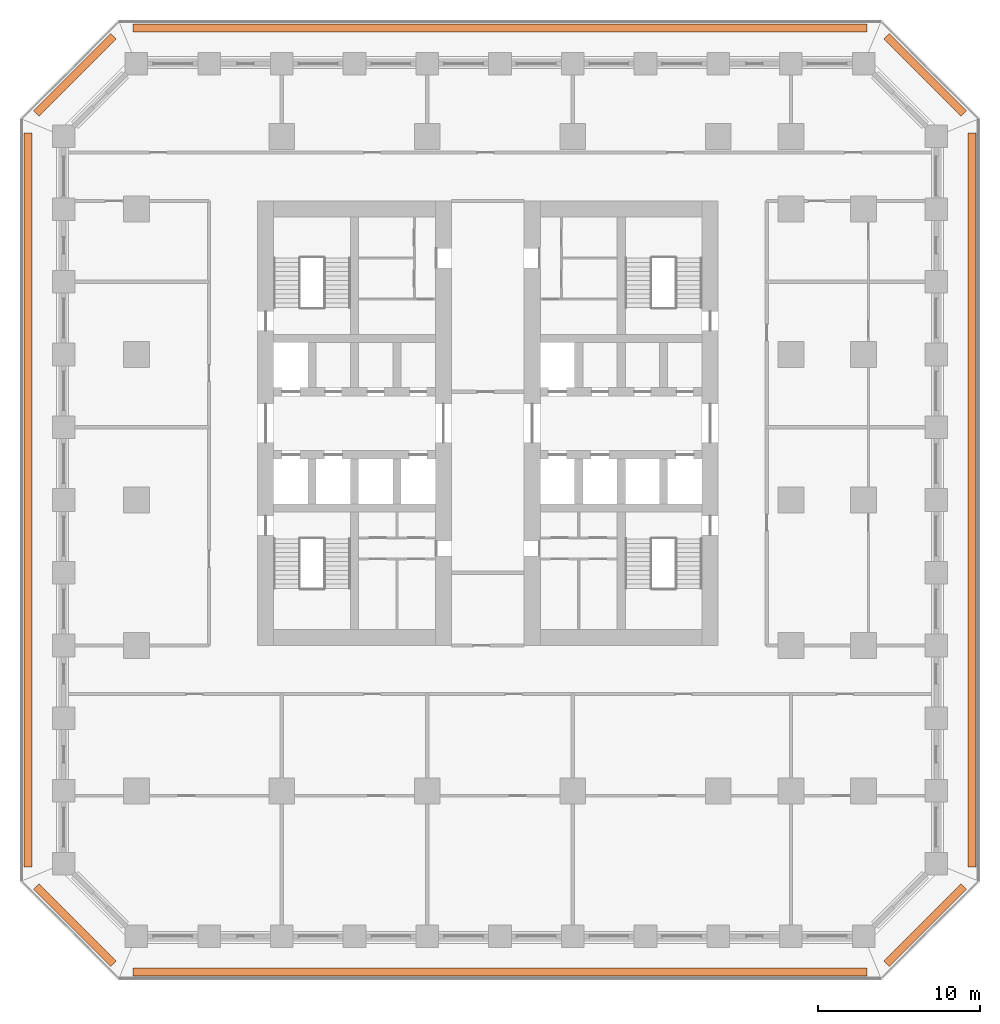
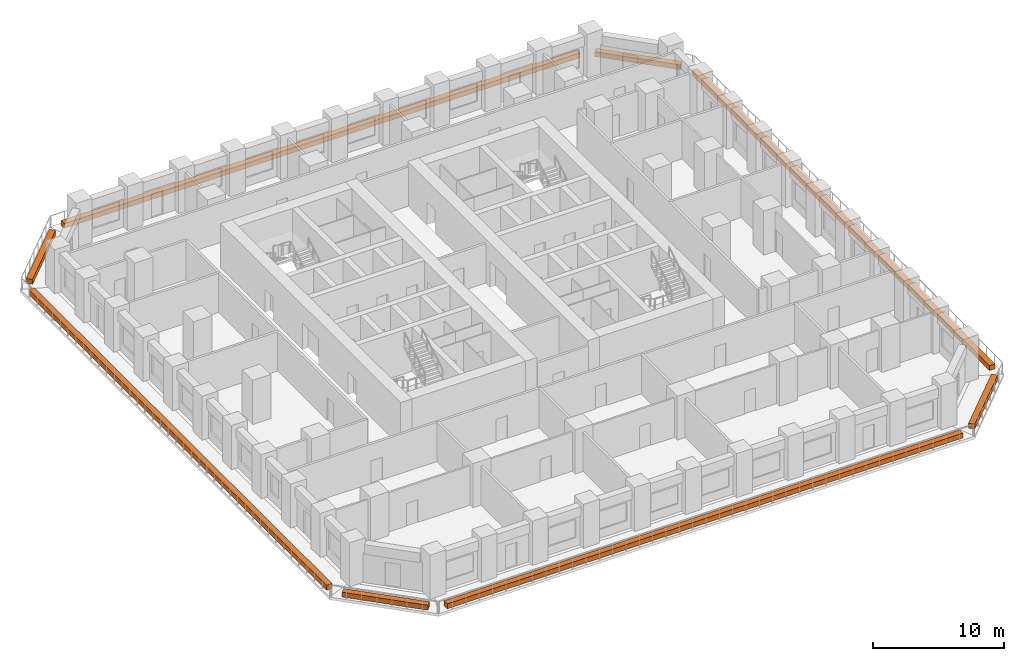
# One storey, part 11 of 11: 8 proxies.
"""IFC4 building model written with IfcOpenShell, lengths in metres."""

from ifc_helpers import new_model, si_unit, direction, frame, origin, origin_2d, place, context, subcontext, project, spatial, rectangle, extrude, material, type_object, element, save


model = new_model("IFC4")

# Units and contexts
model_context = context("Model", 3, precision=1e-05, world=origin(), true_north=direction((0.0, 1.0)))
body_context = subcontext(model_context, "Body", "Model", "MODEL_VIEW")
ifc_project = project(units=[si_unit("LENGTHUNIT", "METRE"), si_unit("AREAUNIT", "SQUARE_METRE"), si_unit("VOLUMEUNIT", "CUBIC_METRE"), si_unit("PLANEANGLEUNIT", "RADIAN"), si_unit("MASSUNIT", "GRAM", prefix="KILO")], contexts=[model_context])

# Site, building, storey
site_placement = place(None, origin())
site = spatial("IfcSite", under=ifc_project, at=site_placement, CompositionType="ELEMENT")
building_placement = place(site_placement, origin())
building = spatial("IfcBuilding", under=site, at=building_placement, Name="Corbel Stack Research Tower", CompositionType="ELEMENT")
storey_placement = place(building_placement, frame((0.0, 0.0, 62.39990234375)))
storey = spatial("IfcBuildingStorey", under=building, at=storey_placement, Name="L14", CompositionType="ELEMENT", Elevation=62.39990234375)

# Proxies
ifc_material = material(Name="Concrete C45/55", Category="concrete")
building_element_proxy_type = type_object("IfcBuildingElementProxyType", Name="Planter box", PredefinedType="USERDEFINED", material=ifc_material)
proxy_1_placement = place(storey_placement, frame((4.5, -29.199951171875, 0.0), z_axis=(0.0, 0.0, 1.0), x_axis=(1.0, 0.0, 0.0)))
element("IfcBuildingElementProxy", 1, at=proxy_1_placement, inside=storey, type_object=building_element_proxy_type, Name="Planter L14 S", ObjectType="PLANTER", PredefinedType="USERDEFINED", context=body_context, shape_type="SweptSolid", body=[
    extrude(rectangle(XDim=45.41064453125, YDim=0.5, at=origin_2d()), origin(), (0.0, 0.0, 1.0), 0.449951171875),
])
proxy_2_placement = place(storey_placement, frame((30.8056640625, -26.3056640625, 0.0), z_axis=(0.0, 0.0, 1.0), x_axis=(0.707106781187, 0.707106781187, 0.0)))
element("IfcBuildingElementProxy", 2, at=proxy_2_placement, inside=storey, type_object=building_element_proxy_type, Name="Planter L14 SE", ObjectType="PLANTER", PredefinedType="USERDEFINED", context=body_context, shape_type="SweptSolid", body=[
    extrude(rectangle(XDim=6.774658203125, YDim=0.5, at=origin_2d()), origin(), (0.0, 0.0, 1.0), 0.449951171875),
])
proxy_3_placement = place(storey_placement, frame((33.699951171875, 0.0, 0.0), z_axis=(0.0, 0.0, 1.0), x_axis=(0.0, 1.0, 0.0)))
element("IfcBuildingElementProxy", 3, at=proxy_3_placement, inside=storey, type_object=building_element_proxy_type, Name="Planter L14 E", ObjectType="PLANTER", PredefinedType="USERDEFINED", context=body_context, shape_type="SweptSolid", body=[
    extrude(rectangle(XDim=45.41064453125, YDim=0.5, at=origin_2d()), origin(), (0.0, 0.0, 1.0), 0.449951171875),
])
proxy_4_placement = place(storey_placement, frame((30.8056640625, 26.3056640625, 0.0), z_axis=(0.0, 0.0, 1.0), x_axis=(-0.707106781187, 0.707106781187, 0.0)))
element("IfcBuildingElementProxy", 4, at=proxy_4_placement, inside=storey, type_object=building_element_proxy_type, Name="Planter L14 NE", ObjectType="PLANTER", PredefinedType="USERDEFINED", context=body_context, shape_type="SweptSolid", body=[
    extrude(rectangle(XDim=6.774658203125, YDim=0.5, at=origin_2d()), origin(), (0.0, 0.0, 1.0), 0.449951171875),
])
proxy_5_placement = place(storey_placement, frame((4.5, 29.199951171875, 0.0), z_axis=(0.0, 0.0, 1.0), x_axis=(-1.0, 0.0, 0.0)))
element("IfcBuildingElementProxy", 5, at=proxy_5_placement, inside=storey, type_object=building_element_proxy_type, Name="Planter L14 N", ObjectType="PLANTER", PredefinedType="USERDEFINED", context=body_context, shape_type="SweptSolid", body=[
    extrude(rectangle(XDim=45.41064453125, YDim=0.5, at=origin_2d()), origin(), (0.0, 0.0, 1.0), 0.449951171875),
])
proxy_6_placement = place(storey_placement, frame((-21.8056640625, 26.3056640625, 0.0), z_axis=(0.0, 0.0, 1.0), x_axis=(-0.707106781187, -0.707106781187, 0.0)))
element("IfcBuildingElementProxy", 6, at=proxy_6_placement, inside=storey, type_object=building_element_proxy_type, Name="Planter L14 NW", ObjectType="PLANTER", PredefinedType="USERDEFINED", context=body_context, shape_type="SweptSolid", body=[
    extrude(rectangle(XDim=6.774658203125, YDim=0.5, at=origin_2d()), origin(), (0.0, 0.0, 1.0), 0.449951171875),
])
proxy_7_placement = place(storey_placement, frame((-24.699951171875, 0.0, 0.0), z_axis=(0.0, 0.0, 1.0), x_axis=(0.0, -1.0, 0.0)))
element("IfcBuildingElementProxy", 7, at=proxy_7_placement, inside=storey, type_object=building_element_proxy_type, Name="Planter L14 W", ObjectType="PLANTER", PredefinedType="USERDEFINED", context=body_context, shape_type="SweptSolid", body=[
    extrude(rectangle(XDim=45.41064453125, YDim=0.5, at=origin_2d()), origin(), (0.0, 0.0, 1.0), 0.449951171875),
])
proxy_8_placement = place(storey_placement, frame((-21.8056640625, -26.3056640625, 0.0), z_axis=(0.0, 0.0, 1.0), x_axis=(0.707106781187, -0.707106781187, 0.0)))
element("IfcBuildingElementProxy", 8, at=proxy_8_placement, inside=storey, type_object=building_element_proxy_type, Name="Planter L14 SW", ObjectType="PLANTER", PredefinedType="USERDEFINED", context=body_context, shape_type="SweptSolid", body=[
    extrude(rectangle(XDim=6.774658203125, YDim=0.5, at=origin_2d()), origin(), (0.0, 0.0, 1.0), 0.449951171875),
])

save(model, "model.ifc")
